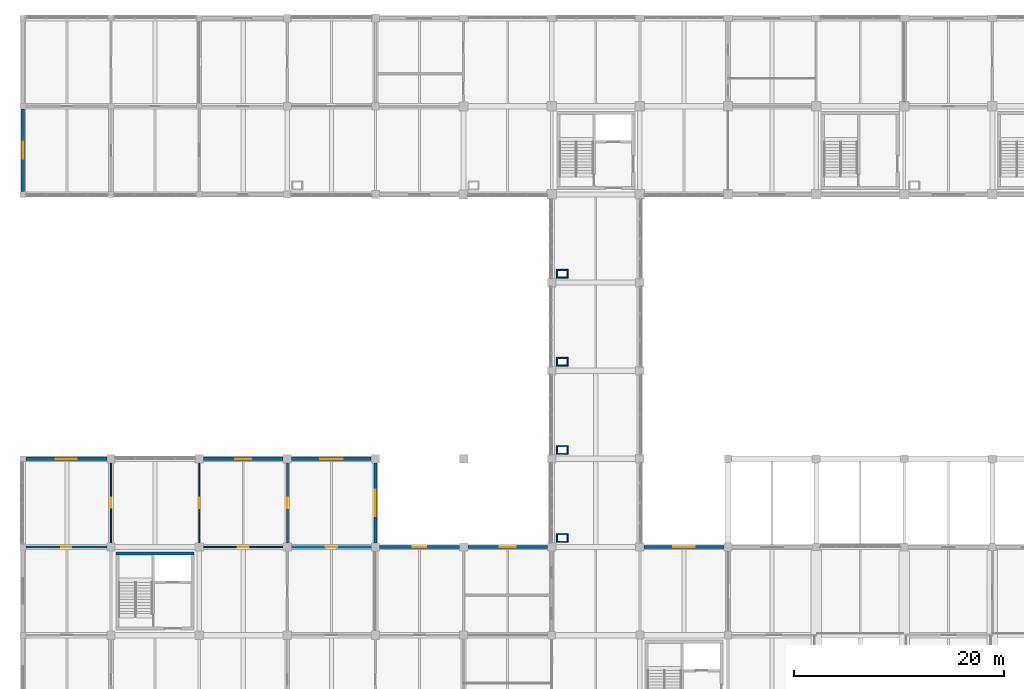
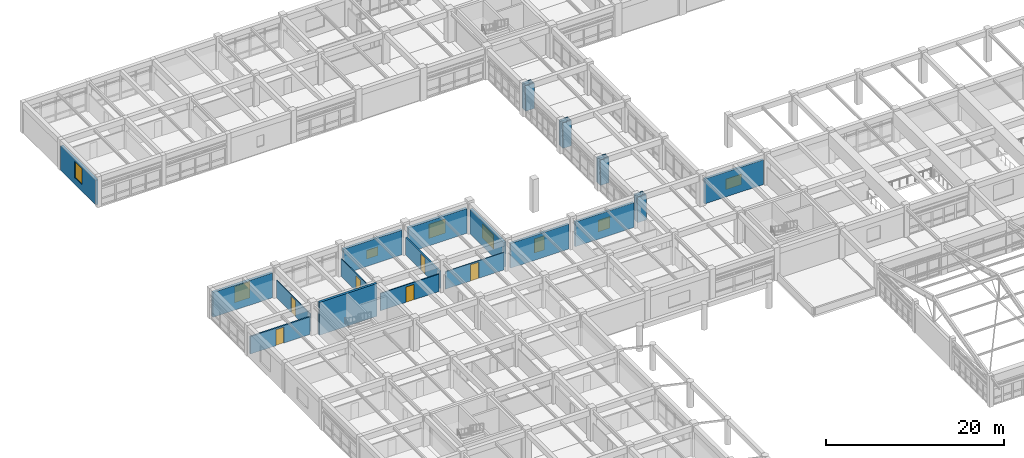
# One storey, part 85 of 99: 31 walls, 8 windows, 6 doors, 14 openings.
"""IFC4 building model written with IfcOpenShell, lengths in metres."""

from ifc_helpers import new_model, si_unit, direction, frame, frame_2d, origin, place, context, subcontext, project, spatial, rectangle, extrude, material, layer, layer_set, type_object, element, fill, save


model = new_model("IFC4")

# Units and contexts
model_context = context("Model", 3, precision=1e-05, world=origin(), true_north=direction((0.0, 1.0)))
body_context = subcontext(model_context, "Body", "Model", "MODEL_VIEW")
ifc_project = project(units=[si_unit("LENGTHUNIT", "METRE"), si_unit("AREAUNIT", "SQUARE_METRE"), si_unit("VOLUMEUNIT", "CUBIC_METRE"), si_unit("PLANEANGLEUNIT", "RADIAN"), si_unit("MASSUNIT", "GRAM", prefix="KILO")], contexts=[model_context])

# Site, building, storey
site_placement = place(None, origin())
site = spatial("IfcSite", under=ifc_project, at=site_placement, CompositionType="ELEMENT")
building_placement = place(site_placement, origin())
building = spatial("IfcBuilding", under=site, at=building_placement, Name="Porcellanite Civic Hall", CompositionType="ELEMENT")
storey_placement = place(building_placement, frame((0.0, 0.0, 5.760009765625)))
storey = spatial("IfcBuildingStorey", under=building, at=storey_placement, Name="L01", CompositionType="ELEMENT", Elevation=5.760009765625)

# Wall
ifc_material_1 = material(Name="Concrete N40 (40 MPa)", Category="concrete")
ifc_layer_1 = layer(ifc_material_1, 0.300048828125)
ifc_layer_set_1 = layer_set([ifc_layer_1], Name="Concrete N40 (40 MPa)")
wall_type_1 = type_object("IfcWallType", Name="CW-SH300", PredefinedType="SHEAR", material=ifc_layer_set_1)
wall_1_placement = place(storey_placement, frame((8.8798828125, 66.570068359375, 0.0), z_axis=(0.0, 0.0, 1.0), x_axis=(1.0, 0.0, 0.0)))
element("IfcWall", 1, at=wall_1_placement, inside=storey, type_object=wall_type_1, Name="Core wall C2 L01 N", PredefinedType="SHEAR", context=body_context, shape_type="SweptSolid", body=[
    extrude(rectangle(XDim=7.440185546875, YDim=0.300048828125, at=frame_2d((3.72021484375, 0.0))), origin(), (0.0, 0.0, 1.0), 4.5),
])

# Wall, opening, window
ifc_material_2 = material(Name="Precast concrete N40 (40 MPa)", Category="concrete")
ifc_layer_2 = layer(ifc_material_2, 0.280029296875)
ifc_layer_set_2 = layer_set([ifc_layer_2], Name="Precast concrete N40 (40 MPa)")
wall_type_2 = type_object("IfcWallType", Name="EW-CLO280", PredefinedType="SOLIDWALL", material=ifc_layer_set_2)
wall_2_placement = place(storey_placement, frame((34.0009765625, 67.199951171875, 0.0), z_axis=(0.0, 0.0, 1.0), x_axis=(1.0, 0.0, 0.0)))
wall_2 = element("IfcWall", 2, at=wall_2_placement, inside=storey, type_object=wall_type_2, Name="Exterior wall L01 N 5-8", PredefinedType="SOLIDWALL", context=body_context, shape_type="SweptSolid", body=[
    extrude(rectangle(XDim=7.59814453125, YDim=0.280029296875, at=frame_2d((3.799072265625, 0.0))), origin(), (0.0, 0.0, 1.0), 3.39990234375),
])
opening_1_placement = place(wall_2_placement, frame((3.14892578125, 0.0, 0.89990234375)))
opening_1 = element("IfcOpeningElement", 3, at=opening_1_placement, cuts=wall_2, Name="Opening W34", PredefinedType="OPENING", context=body_context, shape_type="SweptSolid", body=[
    extrude(rectangle(XDim=1.300048828125, YDim=1.949951171875, at=frame_2d((0.64990234375, 0.97509765625))), frame((0.0, 0.14013671875, 0.0), z_axis=(0.0, -1.0, 0.0), x_axis=(1.0, 0.0, 0.0)), (0.0, 0.0, 1.0), 0.280029296875),
])
ifc_material_3 = material(Name="Cyclone laminated low-E glazing in anodised aluminium frame", Category="aluminium")
window_type_1 = type_object("IfcWindowType", Name="WN-34", PartitioningType="SINGLE_PANEL", PredefinedType="WINDOW", material=ifc_material_3)
window_1_placement = place(opening_1_placement, origin())
window_1 = element("IfcWindow", 4, at=window_1_placement, inside=storey, type_object=window_type_1, Name="Window W34 L01 N 5-8", OverallHeight=1.949951171875, OverallWidth=1.300048828125, PartitioningType="SINGLE_PANEL", PredefinedType="WINDOW", context=body_context, shape_type="SweptSolid", body=[
    extrude(rectangle(XDim=1.300048828125, YDim=1.949951171875, at=frame_2d((0.64990234375, 0.97509765625))), frame((0.0, 0.030029296875, 0.0), z_axis=(0.0, -1.0, 0.0), x_axis=(1.0, 0.0, 0.0)), (0.0, 0.0, 1.0), 0.06005859375),
])
fill(opening_1, window_1)

wall_3_placement = place(storey_placement, frame((42.40087890625, 67.199951171875, 0.0), z_axis=(0.0, 0.0, 1.0), x_axis=(1.0, 0.0, 0.0)))
wall_3 = element("IfcWall", 5, at=wall_3_placement, inside=storey, type_object=wall_type_2, Name="Exterior wall L01 N 6-8", PredefinedType="SOLIDWALL", context=body_context, shape_type="SweptSolid", body=[
    extrude(rectangle(XDim=7.59814453125, YDim=0.280029296875, at=frame_2d((3.799072265625, 0.0))), origin(), (0.0, 0.0, 1.0), 3.39990234375),
])
opening_2_placement = place(wall_3_placement, frame((3.02392578125, 0.0, 0.89990234375)))
opening_2 = element("IfcOpeningElement", 6, at=opening_2_placement, cuts=wall_3, Name="Opening W38", PredefinedType="OPENING", context=body_context, shape_type="SweptSolid", body=[
    extrude(rectangle(XDim=1.550048828125, YDim=1.60009765625, at=frame_2d((0.77490234375, 0.800048828125))), frame((0.0, 0.14013671875, 0.0), z_axis=(0.0, -1.0, 0.0), x_axis=(1.0, 0.0, 0.0)), (0.0, 0.0, 1.0), 0.280029296875),
])
ifc_material_4 = material(Name="Cyclone laminated low-E glazing in anodised aluminium frame", Category="aluminium")
window_type_2 = type_object("IfcWindowType", Name="WN-38", PartitioningType="SINGLE_PANEL", PredefinedType="WINDOW", material=ifc_material_4)
window_2_placement = place(opening_2_placement, origin())
window_2 = element("IfcWindow", 7, at=window_2_placement, inside=storey, type_object=window_type_2, Name="Window W38 L01 N 6-8", OverallHeight=1.60009765625, OverallWidth=1.550048828125, PartitioningType="SINGLE_PANEL", PredefinedType="WINDOW", context=body_context, shape_type="SweptSolid", body=[
    extrude(rectangle(XDim=1.550048828125, YDim=1.60009765625, at=frame_2d((0.77490234375, 0.800048828125))), frame((0.0, 0.030029296875, 0.0), z_axis=(0.0, -1.0, 0.0), x_axis=(1.0, 0.0, 0.0)), (0.0, 0.0, 1.0), 0.06005859375),
])
fill(opening_2, window_2)

wall_4_placement = place(storey_placement, frame((59.200927734375, 67.199951171875, 0.0), z_axis=(0.0, 0.0, 1.0), x_axis=(1.0, 0.0, 0.0)))
wall_4 = element("IfcWall", 8, at=wall_4_placement, inside=storey, type_object=wall_type_2, Name="Exterior wall L01 N 8-8", PredefinedType="SOLIDWALL", context=body_context, shape_type="SweptSolid", body=[
    extrude(rectangle(XDim=7.623046875, YDim=0.280029296875, at=frame_2d((3.8115234375, 0.0))), origin(), (0.0, 0.0, 1.0), 3.39990234375),
])
opening_3_placement = place(wall_4_placement, frame((2.787109375, 0.0, 0.89990234375)))
opening_3 = element("IfcOpeningElement", 9, at=opening_3_placement, cuts=wall_4, Name="Opening W39", PredefinedType="OPENING", context=body_context, shape_type="SweptSolid", body=[
    extrude(rectangle(XDim=2.050048828125, YDim=1.449951171875, at=frame_2d((1.02490234375, 0.72509765625))), frame((0.0, 0.14013671875, 0.0), z_axis=(0.0, -1.0, 0.0), x_axis=(1.0, 0.0, 0.0)), (0.0, 0.0, 1.0), 0.280029296875),
])
ifc_material_5 = material(Name="Cyclone laminated low-E glazing in anodised aluminium frame", Category="aluminium")
window_type_3 = type_object("IfcWindowType", Name="WN-39", PartitioningType="DOUBLE_PANEL_VERTICAL", PredefinedType="WINDOW", material=ifc_material_5)
window_3_placement = place(opening_3_placement, origin())
window_3 = element("IfcWindow", 10, at=window_3_placement, inside=storey, type_object=window_type_3, Name="Window W39 L01 N 8-8", OverallHeight=1.449951171875, OverallWidth=2.050048828125, PartitioningType="SINGLE_PANEL", PredefinedType="WINDOW", context=body_context, shape_type="SweptSolid", body=[
    extrude(rectangle(XDim=2.050048828125, YDim=1.449951171875, at=frame_2d((1.02490234375, 0.72509765625))), frame((0.0, 0.030029296875, 0.0), z_axis=(0.0, -1.0, 0.0), x_axis=(1.0, 0.0, 0.0)), (0.0, 0.0, 1.0), 0.06005859375),
])
fill(opening_3, window_3)

ifc_material_6 = material(Name="Precast concrete N40 (40 MPa)", Category="concrete")
ifc_layer_3 = layer(ifc_material_6, 0.320068359375)
ifc_layer_set_3 = layer_set([ifc_layer_3], Name="Precast concrete N40 (40 MPa)")
wall_type_3 = type_object("IfcWallType", Name="EW-COM320", PredefinedType="SOLIDWALL", material=ifc_layer_set_3)
wall_5_placement = place(storey_placement, frame((0.27587890625, 75.60009765625, 0.0), z_axis=(0.0, 0.0, 1.0), x_axis=(1.0, 0.0, 0.0)))
wall_5 = element("IfcWall", 11, at=wall_5_placement, inside=storey, type_object=wall_type_3, Name="Exterior wall L01 N 1-9", PredefinedType="SOLIDWALL", context=body_context, shape_type="SweptSolid", body=[
    extrude(rectangle(XDim=7.72314453125, YDim=0.320068359375, at=frame_2d((3.861572265625, 0.0))), origin(), (0.0, 0.0, 1.0), 3.39990234375),
])
opening_4_placement = place(wall_5_placement, frame((2.861083984375, 0.0, 0.89990234375)))
opening_4 = element("IfcOpeningElement", 12, at=opening_4_placement, cuts=wall_5, Name="Opening W20", PredefinedType="OPENING", context=body_context, shape_type="SweptSolid", body=[
    extrude(rectangle(XDim=2.0, YDim=2.25, at=frame_2d((1.0, 1.125))), frame((0.0, 0.16015625, 0.0), z_axis=(0.0, -1.0, 0.0), x_axis=(1.0, 0.0, 0.0)), (0.0, 0.0, 1.0), 0.320068359375),
])
ifc_material_7 = material(Name="Cyclone laminated low-E glazing in anodised aluminium frame", Category="aluminium")
window_type_4 = type_object("IfcWindowType", Name="WN-20", PartitioningType="DOUBLE_PANEL_VERTICAL", PredefinedType="WINDOW", material=ifc_material_7)
window_4_placement = place(opening_4_placement, origin())
window_4 = element("IfcWindow", 13, at=window_4_placement, inside=storey, type_object=window_type_4, Name="Window W20 L01 N 1-9", OverallHeight=2.25, OverallWidth=2.0, PartitioningType="SINGLE_PANEL", PredefinedType="WINDOW", context=body_context, shape_type="SweptSolid", body=[
    extrude(rectangle(XDim=2.0, YDim=2.25, at=frame_2d((1.0, 1.125))), frame((0.0, 0.030029296875, 0.0), z_axis=(0.0, -1.0, 0.0), x_axis=(1.0, 0.0, 0.0)), (0.0, 0.0, 1.0), 0.06005859375),
])
fill(opening_4, window_4)

wall_6_placement = place(storey_placement, frame((0.0, 101.075927734375, 0.0), z_axis=(0.0, 0.0, 1.0), x_axis=(0.0, 1.0, 0.0)))
wall_6 = element("IfcWall", 14, at=wall_6_placement, inside=storey, type_object=wall_type_3, Name="Exterior wall L01 W 1-13", PredefinedType="SOLIDWALL", context=body_context, shape_type="SweptSolid", body=[
    extrude(rectangle(XDim=7.84814453125, YDim=0.320068359375, at=frame_2d((3.924072265625, 0.0))), origin(), (0.0, 0.0, 1.0), 3.39990234375),
])
opening_5_placement = place(wall_6_placement, frame((3.1240234375, 0.0, 0.89990234375)))
opening_5 = element("IfcOpeningElement", 15, at=opening_5_placement, cuts=wall_6, Name="Opening W21", PredefinedType="OPENING", context=body_context, shape_type="SweptSolid", body=[
    extrude(rectangle(XDim=1.60009765625, YDim=2.25, at=frame_2d((0.800048828125, 1.125))), frame((0.0, 0.16015625, 0.0), z_axis=(0.0, -1.0, 0.0), x_axis=(1.0, 0.0, 0.0)), (0.0, 0.0, 1.0), 0.320068359375),
])
ifc_material_8 = material(Name="Cyclone laminated low-E glazing in anodised aluminium frame", Category="aluminium")
window_type_5 = type_object("IfcWindowType", Name="WN-21", PartitioningType="DOUBLE_PANEL_VERTICAL", PredefinedType="WINDOW", material=ifc_material_8)
window_5_placement = place(opening_5_placement, origin())
window_5 = element("IfcWindow", 16, at=window_5_placement, inside=storey, type_object=window_type_5, Name="Window W21 L01 W 1-13", OverallHeight=2.25, OverallWidth=1.60009765625, PartitioningType="SINGLE_PANEL", PredefinedType="WINDOW", context=body_context, shape_type="SweptSolid", body=[
    extrude(rectangle(XDim=1.60009765625, YDim=2.25, at=frame_2d((0.800048828125, 1.125))), frame((0.0, 0.030029296875, 0.0), z_axis=(0.0, -1.0, 0.0), x_axis=(1.0, 0.0, 0.0)), (0.0, 0.0, 1.0), 0.06005859375),
])
fill(opening_5, window_5)

wall_7_placement = place(storey_placement, frame((17.200927734375, 75.60009765625, 0.0), z_axis=(0.0, 0.0, 1.0), x_axis=(1.0, 0.0, 0.0)))
wall_7 = element("IfcWall", 17, at=wall_7_placement, inside=storey, type_object=wall_type_3, Name="Exterior wall L01 N 3-9", PredefinedType="SOLIDWALL", context=body_context, shape_type="SweptSolid", body=[
    extrude(rectangle(XDim=7.59814453125, YDim=0.320068359375, at=frame_2d((3.799072265625, 0.0))), origin(), (0.0, 0.0, 1.0), 3.39990234375),
])
opening_6_placement = place(wall_7_placement, frame((3.049072265625, 0.0, 0.89990234375)))
opening_6 = element("IfcOpeningElement", 18, at=opening_6_placement, cuts=wall_7, Name="Opening W25", PredefinedType="OPENING", context=body_context, shape_type="SweptSolid", body=[
    extrude(rectangle(XDim=1.5, YDim=1.199951171875, at=frame_2d((0.75, 0.60009765625))), frame((0.0, 0.16015625, 0.0), z_axis=(0.0, -1.0, 0.0), x_axis=(1.0, 0.0, 0.0)), (0.0, 0.0, 1.0), 0.320068359375),
])
ifc_material_9 = material(Name="Cyclone laminated low-E glazing in anodised aluminium frame", Category="aluminium")
window_type_6 = type_object("IfcWindowType", Name="WN-25", PartitioningType="SINGLE_PANEL", PredefinedType="WINDOW", material=ifc_material_9)
window_6_placement = place(opening_6_placement, origin())
window_6 = element("IfcWindow", 19, at=window_6_placement, inside=storey, type_object=window_type_6, Name="Window W25 L01 N 3-9", OverallHeight=1.199951171875, OverallWidth=1.5, PartitioningType="SINGLE_PANEL", PredefinedType="WINDOW", context=body_context, shape_type="SweptSolid", body=[
    extrude(rectangle(XDim=1.5, YDim=1.199951171875, at=frame_2d((0.75, 0.60009765625))), frame((0.0, 0.030029296875, 0.0), z_axis=(0.0, -1.0, 0.0), x_axis=(1.0, 0.0, 0.0)), (0.0, 0.0, 1.0), 0.06005859375),
])
fill(opening_6, window_6)

wall_8_placement = place(storey_placement, frame((25.60107421875, 75.60009765625, 0.0), z_axis=(0.0, 0.0, 1.0), x_axis=(1.0, 0.0, 0.0)))
wall_8 = element("IfcWall", 20, at=wall_8_placement, inside=storey, type_object=wall_type_3, Name="Exterior wall L01 N 4-9", PredefinedType="SOLIDWALL", context=body_context, shape_type="SweptSolid", body=[
    extrude(rectangle(XDim=7.597900390625, YDim=0.320068359375, at=frame_2d((3.798828125, 0.0))), origin(), (0.0, 0.0, 1.0), 3.39990234375),
])
opening_7_placement = place(wall_8_placement, frame((2.72412109375, 0.0, 0.89990234375)))
opening_7 = element("IfcOpeningElement", 21, at=opening_7_placement, cuts=wall_8, Name="Opening W32", PredefinedType="OPENING", context=body_context, shape_type="SweptSolid", body=[
    extrude(rectangle(XDim=2.14990234375, YDim=1.949951171875, at=frame_2d((1.074951171875, 0.97509765625))), frame((0.0, 0.16015625, 0.0), z_axis=(0.0, -1.0, 0.0), x_axis=(1.0, 0.0, 0.0)), (0.0, 0.0, 1.0), 0.320068359375),
])
ifc_material_10 = material(Name="Cyclone laminated low-E glazing in anodised aluminium frame", Category="aluminium")
window_type_7 = type_object("IfcWindowType", Name="WN-32", PartitioningType="DOUBLE_PANEL_VERTICAL", PredefinedType="WINDOW", material=ifc_material_10)
window_7_placement = place(opening_7_placement, origin())
window_7 = element("IfcWindow", 22, at=window_7_placement, inside=storey, type_object=window_type_7, Name="Window W32 L01 N 4-9", OverallHeight=1.949951171875, OverallWidth=2.14990234375, PartitioningType="SINGLE_PANEL", PredefinedType="WINDOW", context=body_context, shape_type="SweptSolid", body=[
    extrude(rectangle(XDim=2.14990234375, YDim=1.949951171875, at=frame_2d((1.074951171875, 0.97509765625))), frame((0.0, 0.030029296875, 0.0), z_axis=(0.0, -1.0, 0.0), x_axis=(1.0, 0.0, 0.0)), (0.0, 0.0, 1.0), 0.06005859375),
])
fill(opening_7, window_7)

wall_9_placement = place(storey_placement, frame((33.60009765625, 75.198974609375, 0.0), z_axis=(0.0, 0.0, 1.0), x_axis=(0.0, -1.0, 0.0)))
wall_9 = element("IfcWall", 23, at=wall_9_placement, inside=storey, type_object=wall_type_3, Name="Exterior wall L01 E 4-9", PredefinedType="SOLIDWALL", context=body_context, shape_type="SweptSolid", body=[
    extrude(rectangle(XDim=7.597900390625, YDim=0.320068359375, at=frame_2d((3.798828125, 0.0))), origin(), (0.0, 0.0, 1.0), 3.39990234375),
])
opening_8_placement = place(wall_9_placement, frame((2.52392578125, 0.0, 0.89990234375)))
opening_8 = element("IfcOpeningElement", 24, at=opening_8_placement, cuts=wall_9, Name="Opening W33", PredefinedType="OPENING", context=body_context, shape_type="SweptSolid", body=[
    extrude(rectangle(XDim=2.550048828125, YDim=1.949951171875, at=frame_2d((1.27490234375, 0.97509765625))), frame((0.0, 0.16015625, 0.0), z_axis=(0.0, -1.0, 0.0), x_axis=(1.0, 0.0, 0.0)), (0.0, 0.0, 1.0), 0.320068359375),
])
ifc_material_11 = material(Name="Cyclone laminated low-E glazing in anodised aluminium frame", Category="aluminium")
window_type_8 = type_object("IfcWindowType", Name="WN-33", PartitioningType="TRIPLE_PANEL_VERTICAL", PredefinedType="WINDOW", material=ifc_material_11)
window_8_placement = place(opening_8_placement, origin())
window_8 = element("IfcWindow", 25, at=window_8_placement, inside=storey, type_object=window_type_8, Name="Window W33 L01 E 4-9", OverallHeight=1.949951171875, OverallWidth=2.550048828125, PartitioningType="SINGLE_PANEL", PredefinedType="WINDOW", context=body_context, shape_type="SweptSolid", body=[
    extrude(rectangle(XDim=2.550048828125, YDim=1.949951171875, at=frame_2d((1.27490234375, 0.97509765625))), frame((0.0, 0.030029296875, 0.0), z_axis=(0.0, -1.0, 0.0), x_axis=(1.0, 0.0, 0.0)), (0.0, 0.0, 1.0), 0.06005859375),
])
fill(opening_8, window_8)

# Walls
ifc_material_12 = material(Name="Fire-rated shaftwall plasterboard on steel studs", Category="steel")
ifc_layer_4 = layer(ifc_material_12, 0.117919921875)
ifc_layer_set_4 = layer_set([ifc_layer_4], Name="Fire-rated shaftwall plasterboard on steel studs")
wall_type_4 = type_object("IfcWallType", Name="IW-FR118", PredefinedType="PARTITIONING", material=ifc_layer_set_4)
for number, where, z_axis, x_axis, name in (
    (26, (50.83203125, 67.69091796875, 0.0), (0.0, 0.0, 1.0), (1.0, 0.0, 0.0), "Fire riser shaftwall S L01 6-8"),
    (27, (50.83203125, 68.408935546875, 0.0), (0.0, 0.0, 1.0), (1.0, 0.0, 0.0), "Fire riser shaftwall N L01 6-8"),
):
    element("IfcWall", number, at=place(storey_placement, frame(where, z_axis=z_axis, x_axis=x_axis)), inside=storey, type_object=wall_type_4, Name=name, PredefinedType="PARTITIONING", context=body_context, shape_type="SweptSolid", body=[
        extrude(rectangle(XDim=1.135986328125, YDim=0.117919921875, at=frame_2d((0.56787109375, 0.0))), origin(), (0.0, 0.0, 1.0), 3.47998046875),
    ])
for number, where, z_axis, x_axis, name in (
    (28, (50.89111328125, 67.75, 0.0), (0.0, 0.0, 1.0), (0.0, 1.0, 0.0), "Fire riser shaftwall W L01 6-8"),
    (29, (51.908935546875, 67.75, 0.0), (0.0, 0.0, 1.0), (0.0, 1.0, 0.0), "Fire riser shaftwall E L01 6-8"),
):
    element("IfcWall", number, at=place(storey_placement, frame(where, z_axis=z_axis, x_axis=x_axis)), inside=storey, type_object=wall_type_4, Name=name, PredefinedType="PARTITIONING", context=body_context, shape_type="SweptSolid", body=[
        extrude(rectangle(XDim=0.60009765625, YDim=0.117919921875, at=frame_2d((0.300048828125, 0.0))), origin(), (0.0, 0.0, 1.0), 3.47998046875),
    ])
for number, where, z_axis, x_axis, name in (
    (30, (50.83203125, 76.091064453125, 0.0), (0.0, 0.0, 1.0), (1.0, 0.0, 0.0), "Fire riser shaftwall S L01 6-9"),
    (31, (50.83203125, 76.80908203125, 0.0), (0.0, 0.0, 1.0), (1.0, 0.0, 0.0), "Fire riser shaftwall N L01 6-9"),
):
    element("IfcWall", number, at=place(storey_placement, frame(where, z_axis=z_axis, x_axis=x_axis)), inside=storey, type_object=wall_type_4, Name=name, PredefinedType="PARTITIONING", context=body_context, shape_type="SweptSolid", body=[
        extrude(rectangle(XDim=1.135986328125, YDim=0.117919921875, at=frame_2d((0.56787109375, 0.0))), origin(), (0.0, 0.0, 1.0), 3.47998046875),
    ])
for number, where, z_axis, x_axis, name in (
    (32, (50.89111328125, 76.14990234375, 0.0), (0.0, 0.0, 1.0), (0.0, 1.0, 0.0), "Fire riser shaftwall W L01 6-9"),
    (33, (51.908935546875, 76.14990234375, 0.0), (0.0, 0.0, 1.0), (0.0, 1.0, 0.0), "Fire riser shaftwall E L01 6-9"),
):
    element("IfcWall", number, at=place(storey_placement, frame(where, z_axis=z_axis, x_axis=x_axis)), inside=storey, type_object=wall_type_4, Name=name, PredefinedType="PARTITIONING", context=body_context, shape_type="SweptSolid", body=[
        extrude(rectangle(XDim=0.60009765625, YDim=0.117919921875, at=frame_2d((0.300048828125, 0.0))), origin(), (0.0, 0.0, 1.0), 3.47998046875),
    ])
for number, where, z_axis, x_axis, name in (
    (34, (50.83203125, 84.490966796875, 0.0), (0.0, 0.0, 1.0), (1.0, 0.0, 0.0), "Fire riser shaftwall S L01 6-10"),
    (35, (50.83203125, 85.208984375, 0.0), (0.0, 0.0, 1.0), (1.0, 0.0, 0.0), "Fire riser shaftwall N L01 6-10"),
):
    element("IfcWall", number, at=place(storey_placement, frame(where, z_axis=z_axis, x_axis=x_axis)), inside=storey, type_object=wall_type_4, Name=name, PredefinedType="PARTITIONING", context=body_context, shape_type="SweptSolid", body=[
        extrude(rectangle(XDim=1.135986328125, YDim=0.117919921875, at=frame_2d((0.56787109375, 0.0))), origin(), (0.0, 0.0, 1.0), 3.47998046875),
    ])
for number, where, z_axis, x_axis, name in (
    (36, (50.89111328125, 84.550048828125, 0.0), (0.0, 0.0, 1.0), (0.0, 1.0, 0.0), "Fire riser shaftwall W L01 6-10"),
    (37, (51.908935546875, 84.550048828125, 0.0), (0.0, 0.0, 1.0), (0.0, 1.0, 0.0), "Fire riser shaftwall E L01 6-10"),
):
    element("IfcWall", number, at=place(storey_placement, frame(where, z_axis=z_axis, x_axis=x_axis)), inside=storey, type_object=wall_type_4, Name=name, PredefinedType="PARTITIONING", context=body_context, shape_type="SweptSolid", body=[
        extrude(rectangle(XDim=0.599853515625, YDim=0.117919921875, at=frame_2d((0.2998046875, 0.0))), origin(), (0.0, 0.0, 1.0), 3.47998046875),
    ])
for number, where, z_axis, x_axis, name in (
    (38, (50.83203125, 92.89111328125, 0.0), (0.0, 0.0, 1.0), (1.0, 0.0, 0.0), "Fire riser shaftwall S L01 6-11"),
    (39, (50.83203125, 93.60888671875, 0.0), (0.0, 0.0, 1.0), (1.0, 0.0, 0.0), "Fire riser shaftwall N L01 6-11"),
):
    element("IfcWall", number, at=place(storey_placement, frame(where, z_axis=z_axis, x_axis=x_axis)), inside=storey, type_object=wall_type_4, Name=name, PredefinedType="PARTITIONING", context=body_context, shape_type="SweptSolid", body=[
        extrude(rectangle(XDim=1.135986328125, YDim=0.117919921875, at=frame_2d((0.56787109375, 0.0))), origin(), (0.0, 0.0, 1.0), 3.47998046875),
    ])
for number, where, z_axis, x_axis, name in (
    (40, (50.89111328125, 92.949951171875, 0.0), (0.0, 0.0, 1.0), (0.0, 1.0, 0.0), "Fire riser shaftwall W L01 6-11"),
    (41, (51.908935546875, 92.949951171875, 0.0), (0.0, 0.0, 1.0), (0.0, 1.0, 0.0), "Fire riser shaftwall E L01 6-11"),
):
    element("IfcWall", number, at=place(storey_placement, frame(where, z_axis=z_axis, x_axis=x_axis)), inside=storey, type_object=wall_type_4, Name=name, PredefinedType="PARTITIONING", context=body_context, shape_type="SweptSolid", body=[
        extrude(rectangle(XDim=0.60009765625, YDim=0.117919921875, at=frame_2d((0.300048828125, 0.0))), origin(), (0.0, 0.0, 1.0), 3.47998046875),
    ])

# Wall, opening, door
ifc_material_13 = material(Name="Insulated acoustic plasterboard on light-gauge steel studs", Category="steel")
ifc_layer_5 = layer(ifc_material_13, 0.094970703125)
ifc_layer_set_5 = layer_set([ifc_layer_5], Name="Insulated acoustic plasterboard on light-gauge steel studs")
wall_type_5 = type_object("IfcWallType", Name="IW-PT095", PredefinedType="PARTITIONING", material=ifc_layer_set_5)
wall_10_placement = place(storey_placement, frame((25.60205078125, 67.199951171875, 0.0), z_axis=(0.0, 0.0, 1.0), x_axis=(1.0, 0.0, 0.0)))
wall_10 = element("IfcWall", 42, at=wall_10_placement, inside=storey, type_object=wall_type_5, Name="Partition L01 H 4-8", PredefinedType="PARTITIONING", context=body_context, shape_type="SweptSolid", body=[
    extrude(rectangle(XDim=7.595947265625, YDim=0.094970703125, at=frame_2d((3.7978515625, 0.0))), origin(), (0.0, 0.0, 1.0), 2.39990234375),
])
opening_9_placement = place(wall_10_placement, frame((3.258056640625, 0.0, 0.0)))
opening_9 = element("IfcOpeningElement", 43, at=opening_9_placement, cuts=wall_10, Name="Opening D-L01-234", PredefinedType="OPENING", context=body_context, shape_type="SweptSolid", body=[
    extrude(rectangle(XDim=1.080078125, YDim=2.219970703125, at=frame_2d((0.5400390625, 1.10986328125))), frame((0.0, 0.04736328125, 0.0), z_axis=(0.0, -1.0, 0.0), x_axis=(1.0, 0.0, 0.0)), (0.0, 0.0, 1.0), 0.094970703125),
])
ifc_material_14 = material(Name="Solid-core spotted-gum timber", Category="wood")
door_type_1 = type_object("IfcDoorType", Name="DR-RM108", OperationType="NOTDEFINED", PredefinedType="DOOR", material=ifc_material_14)
door_1_placement = place(opening_9_placement, origin())
door_1 = element("IfcDoor", 44, at=door_1_placement, inside=storey, type_object=door_type_1, Name="Interior door D-L01-234", OperationType="SINGLE_SWING_RIGHT", OverallHeight=2.219970703125, OverallWidth=1.080078125, PredefinedType="DOOR", context=body_context, shape_type="SweptSolid", body=[
    extrude(rectangle(XDim=1.080078125, YDim=2.219970703125, at=frame_2d((0.5400390625, 1.10986328125))), frame((0.0, 0.02490234375, 0.0), z_axis=(0.0, -1.0, 0.0), x_axis=(1.0, 0.0, 0.0)), (0.0, 0.0, 1.0), 0.050048828125),
])
fill(opening_9, door_1)

ifc_material_15 = material(Name="Insulated acoustic plasterboard on light-gauge steel studs", Category="steel")
ifc_layer_6 = layer(ifc_material_15, 0.10498046875)
ifc_layer_set_6 = layer_set([ifc_layer_6], Name="Insulated acoustic plasterboard on light-gauge steel studs")
wall_type_6 = type_object("IfcWallType", Name="IW-PT105", PredefinedType="PARTITIONING", material=ifc_layer_set_6)
wall_11_placement = place(storey_placement, frame((16.800048828125, 67.60205078125, 0.0), z_axis=(0.0, 0.0, 1.0), x_axis=(0.0, 1.0, 0.0)))
wall_11 = element("IfcWall", 45, at=wall_11_placement, inside=storey, type_object=wall_type_6, Name="Partition L01 V 2-9", PredefinedType="PARTITIONING", context=body_context, shape_type="SweptSolid", body=[
    extrude(rectangle(XDim=7.595947265625, YDim=0.10498046875, at=frame_2d((3.7978515625, 0.0))), origin(), (0.0, 0.0, 1.0), 2.39990234375),
])
opening_10_placement = place(wall_11_placement, frame((3.31298828125, 0.0, 0.0)))
opening_10 = element("IfcOpeningElement", 46, at=opening_10_placement, cuts=wall_11, Name="Opening D-L01-284", PredefinedType="OPENING", context=body_context, shape_type="SweptSolid", body=[
    extrude(rectangle(XDim=0.969970703125, YDim=2.1201171875, at=frame_2d((0.48486328125, 1.06005859375))), frame((0.0, 0.052490234375, 0.0), z_axis=(0.0, -1.0, 0.0), x_axis=(1.0, 0.0, 0.0)), (0.0, 0.0, 1.0), 0.10498046875),
])
ifc_material_16 = material(Name="Solid-core spotted-gum timber", Category="wood")
door_type_2 = type_object("IfcDoorType", Name="DR-RM097", OperationType="NOTDEFINED", PredefinedType="DOOR", material=ifc_material_16)
door_2_placement = place(opening_10_placement, origin())
door_2 = element("IfcDoor", 47, at=door_2_placement, inside=storey, type_object=door_type_2, Name="Interior door D-L01-284", OperationType="SINGLE_SWING_RIGHT", OverallHeight=2.1201171875, OverallWidth=0.969970703125, PredefinedType="DOOR", context=body_context, shape_type="SweptSolid", body=[
    extrude(rectangle(XDim=0.969970703125, YDim=2.1201171875, at=frame_2d((0.48486328125, 1.06005859375))), frame((0.0, 0.02490234375, 0.0), z_axis=(0.0, -1.0, 0.0), x_axis=(1.0, 0.0, 0.0)), (0.0, 0.0, 1.0), 0.050048828125),
])
fill(opening_10, door_2)

ifc_material_17 = material(Name="Insulated acoustic plasterboard on light-gauge steel studs", Category="steel")
ifc_layer_7 = layer(ifc_material_17, 0.125)
ifc_layer_set_7 = layer_set([ifc_layer_7], Name="Insulated acoustic plasterboard on light-gauge steel studs")
wall_type_7 = type_object("IfcWallType", Name="IW-PT125", PredefinedType="PARTITIONING", material=ifc_layer_set_7)
wall_12_placement = place(storey_placement, frame((17.201904296875, 67.199951171875, 0.0), z_axis=(0.0, 0.0, 1.0), x_axis=(1.0, 0.0, 0.0)))
wall_12 = element("IfcWall", 48, at=wall_12_placement, inside=storey, type_object=wall_type_7, Name="Partition L01 H 3-8", PredefinedType="PARTITIONING", context=body_context, shape_type="SweptSolid", body=[
    extrude(rectangle(XDim=7.59619140625, YDim=0.125, at=frame_2d((3.798095703125, 0.0))), origin(), (0.0, 0.0, 1.0), 2.39990234375),
])
opening_11_placement = place(wall_12_placement, frame((3.27294921875, 0.0, 0.0)))
opening_11 = element("IfcOpeningElement", 49, at=opening_11_placement, cuts=wall_12, Name="Opening D-L01-191", PredefinedType="OPENING", context=body_context, shape_type="SweptSolid", body=[
    extrude(rectangle(XDim=1.050048828125, YDim=2.1201171875, at=frame_2d((0.52490234375, 1.06005859375))), frame((0.0, 0.0625, 0.0), z_axis=(0.0, -1.0, 0.0), x_axis=(1.0, 0.0, 0.0)), (0.0, 0.0, 1.0), 0.125),
])
ifc_material_18 = material(Name="Solid-core spotted-gum timber", Category="wood")
door_type_3 = type_object("IfcDoorType", Name="DR-RM105", OperationType="NOTDEFINED", PredefinedType="DOOR", material=ifc_material_18)
door_3_placement = place(opening_11_placement, origin())
door_3 = element("IfcDoor", 50, at=door_3_placement, inside=storey, type_object=door_type_3, Name="Interior door D-L01-191", OperationType="SINGLE_SWING_LEFT", OverallHeight=2.1201171875, OverallWidth=1.050048828125, PredefinedType="DOOR", context=body_context, shape_type="SweptSolid", body=[
    extrude(rectangle(XDim=1.050048828125, YDim=2.1201171875, at=frame_2d((0.52490234375, 1.06005859375))), frame((0.0, 0.02490234375, 0.0), z_axis=(0.0, -1.0, 0.0), x_axis=(1.0, 0.0, 0.0)), (0.0, 0.0, 1.0), 0.050048828125),
])
fill(opening_11, door_3)

ifc_material_19 = material(Name="Insulated acoustic plasterboard on light-gauge steel studs", Category="steel")
ifc_layer_8 = layer(ifc_material_19, 0.18505859375)
ifc_layer_set_8 = layer_set([ifc_layer_8], Name="Insulated acoustic plasterboard on light-gauge steel studs")
wall_type_8 = type_object("IfcWallType", Name="IW-PT185", PredefinedType="PARTITIONING", material=ifc_layer_set_8)
wall_13_placement = place(storey_placement, frame((0.277099609375, 67.199951171875, 0.0), z_axis=(0.0, 0.0, 1.0), x_axis=(1.0, 0.0, 0.0)))
wall_13 = element("IfcWall", 51, at=wall_13_placement, inside=storey, type_object=wall_type_8, Name="Partition L01 H 1-8", PredefinedType="PARTITIONING", context=body_context, shape_type="SweptSolid", body=[
    extrude(rectangle(XDim=7.720947265625, YDim=0.18505859375, at=frame_2d((3.8603515625, 0.0))), origin(), (0.0, 0.0, 1.0), 2.39990234375),
])
opening_12_placement = place(wall_13_placement, frame((3.3701171875, 0.0, 0.0)))
opening_12 = element("IfcOpeningElement", 52, at=opening_12_placement, cuts=wall_13, Name="Opening D-L01-226", PredefinedType="OPENING", context=body_context, shape_type="SweptSolid", body=[
    extrude(rectangle(XDim=0.97998046875, YDim=2.179931640625, at=frame_2d((0.489990234375, 1.08984375))), frame((0.0, 0.092529296875, 0.0), z_axis=(0.0, -1.0, 0.0), x_axis=(1.0, 0.0, 0.0)), (0.0, 0.0, 1.0), 0.18505859375),
])
ifc_material_20 = material(Name="Solid-core spotted-gum timber", Category="wood")
door_type_4 = type_object("IfcDoorType", Name="DR-RM098", OperationType="NOTDEFINED", PredefinedType="DOOR", material=ifc_material_20)
door_4_placement = place(opening_12_placement, origin())
door_4 = element("IfcDoor", 53, at=door_4_placement, inside=storey, type_object=door_type_4, Name="Interior door D-L01-226", OperationType="SINGLE_SWING_RIGHT", OverallHeight=2.179931640625, OverallWidth=0.97998046875, PredefinedType="DOOR", context=body_context, shape_type="SweptSolid", body=[
    extrude(rectangle(XDim=0.97998046875, YDim=2.179931640625, at=frame_2d((0.489990234375, 1.08984375))), frame((0.0, 0.02490234375, 0.0), z_axis=(0.0, -1.0, 0.0), x_axis=(1.0, 0.0, 0.0)), (0.0, 0.0, 1.0), 0.050048828125),
])
fill(opening_12, door_4)

ifc_material_21 = material(Name="Insulated acoustic plasterboard on light-gauge steel studs", Category="steel")
ifc_layer_9 = layer(ifc_material_21, 0.195068359375)
ifc_layer_set_9 = layer_set([ifc_layer_9], Name="Insulated acoustic plasterboard on light-gauge steel studs")
wall_type_9 = type_object("IfcWallType", Name="IW-PT195", PredefinedType="PARTITIONING", material=ifc_layer_set_9)
wall_14_placement = place(storey_placement, frame((25.199951171875, 67.60205078125, 0.0), z_axis=(0.0, 0.0, 1.0), x_axis=(0.0, 1.0, 0.0)))
wall_14 = element("IfcWall", 54, at=wall_14_placement, inside=storey, type_object=wall_type_9, Name="Partition L01 V 3-9", PredefinedType="PARTITIONING", context=body_context, shape_type="SweptSolid", body=[
    extrude(rectangle(XDim=7.595947265625, YDim=0.195068359375, at=frame_2d((3.7978515625, 0.0))), origin(), (0.0, 0.0, 1.0), 2.39990234375),
])
opening_13_placement = place(wall_14_placement, frame((3.2880859375, 0.0, 0.0)))
opening_13 = element("IfcOpeningElement", 55, at=opening_13_placement, cuts=wall_14, Name="Opening D-L01-289", PredefinedType="OPENING", context=body_context, shape_type="SweptSolid", body=[
    extrude(rectangle(XDim=1.02001953125, YDim=2.199951171875, at=frame_2d((0.510009765625, 1.10009765625))), frame((0.0, 0.09765625, 0.0), z_axis=(0.0, -1.0, 0.0), x_axis=(1.0, 0.0, 0.0)), (0.0, 0.0, 1.0), 0.195068359375),
])
ifc_material_22 = material(Name="Solid-core spotted-gum timber", Category="wood")
door_type_5 = type_object("IfcDoorType", Name="DR-RM102", OperationType="NOTDEFINED", PredefinedType="DOOR", material=ifc_material_22)
door_5_placement = place(opening_13_placement, origin())
door_5 = element("IfcDoor", 56, at=door_5_placement, inside=storey, type_object=door_type_5, Name="Interior door D-L01-289", OperationType="SINGLE_SWING_LEFT", OverallHeight=2.199951171875, OverallWidth=1.02001953125, PredefinedType="DOOR", context=body_context, shape_type="SweptSolid", body=[
    extrude(rectangle(XDim=1.02001953125, YDim=2.199951171875, at=frame_2d((0.510009765625, 1.10009765625))), frame((0.0, 0.02490234375, 0.0), z_axis=(0.0, -1.0, 0.0), x_axis=(1.0, 0.0, 0.0)), (0.0, 0.0, 1.0), 0.050048828125),
])
fill(opening_13, door_5)

ifc_material_23 = material(Name="Acoustic timber-veneered operable panel system", Category="wood")
ifc_layer_10 = layer(ifc_material_23, 0.110107421875)
ifc_layer_set_10 = layer_set([ifc_layer_10], Name="Acoustic timber-veneered operable panel system")
wall_type_10 = type_object("IfcWallType", Name="MW-OP110", PredefinedType="MOVABLE", material=ifc_layer_set_10)
wall_15_placement = place(storey_placement, frame((8.39990234375, 67.60205078125, 0.0), z_axis=(0.0, 0.0, 1.0), x_axis=(0.0, 1.0, 0.0)))
wall_15 = element("IfcWall", 57, at=wall_15_placement, inside=storey, type_object=wall_type_10, Name="Partition L01 V 1-9", PredefinedType="MOVABLE", context=body_context, shape_type="SweptSolid", body=[
    extrude(rectangle(XDim=7.595947265625, YDim=0.110107421875, at=frame_2d((3.7978515625, 0.0))), origin(), (0.0, 0.0, 1.0), 2.39990234375),
])
opening_14_placement = place(wall_15_placement, frame((3.318115234375, 0.0, 0.0)))
opening_14 = element("IfcOpeningElement", 58, at=opening_14_placement, cuts=wall_15, Name="Opening D-L01-253", PredefinedType="OPENING", context=body_context, shape_type="SweptSolid", body=[
    extrude(rectangle(XDim=0.9599609375, YDim=2.179931640625, at=frame_2d((0.47998046875, 1.08984375))), frame((0.0, 0.05517578125, 0.0), z_axis=(0.0, -1.0, 0.0), x_axis=(1.0, 0.0, 0.0)), (0.0, 0.0, 1.0), 0.110107421875),
])
ifc_material_24 = material(Name="Solid-core spotted-gum timber", Category="wood")
door_type_6 = type_object("IfcDoorType", Name="DR-RM096", OperationType="NOTDEFINED", PredefinedType="DOOR", material=ifc_material_24)
door_6_placement = place(opening_14_placement, origin())
door_6 = element("IfcDoor", 59, at=door_6_placement, inside=storey, type_object=door_type_6, Name="Interior door D-L01-253", OperationType="SINGLE_SWING_LEFT", OverallHeight=2.179931640625, OverallWidth=0.9599609375, PredefinedType="DOOR", context=body_context, shape_type="SweptSolid", body=[
    extrude(rectangle(XDim=0.9599609375, YDim=2.179931640625, at=frame_2d((0.47998046875, 1.08984375))), frame((0.0, 0.02490234375, 0.0), z_axis=(0.0, -1.0, 0.0), x_axis=(1.0, 0.0, 0.0)), (0.0, 0.0, 1.0), 0.050048828125),
])
fill(opening_14, door_6)

save(model, "model.ifc")
